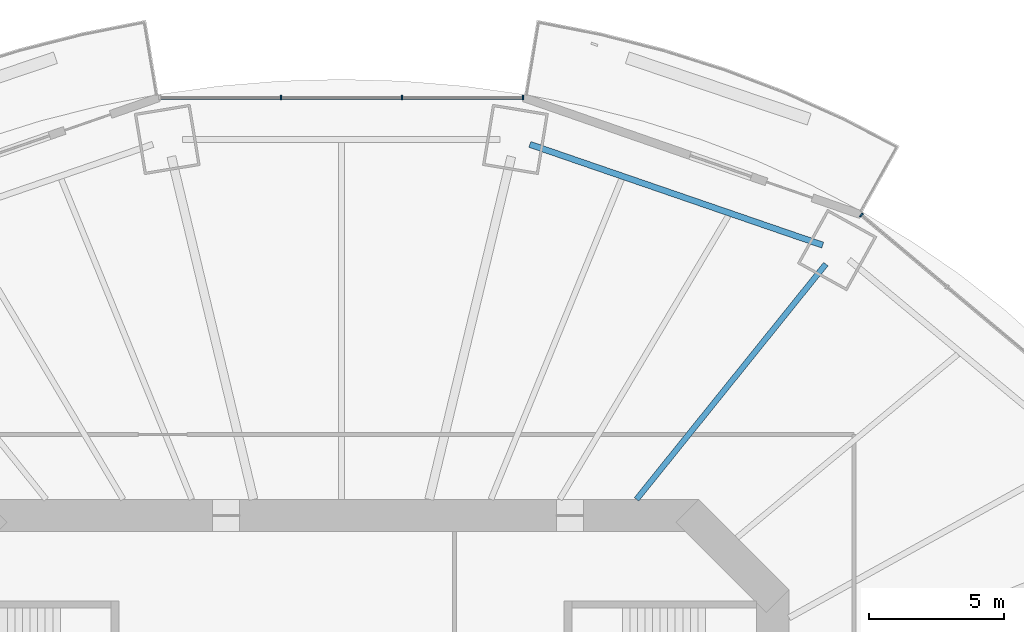
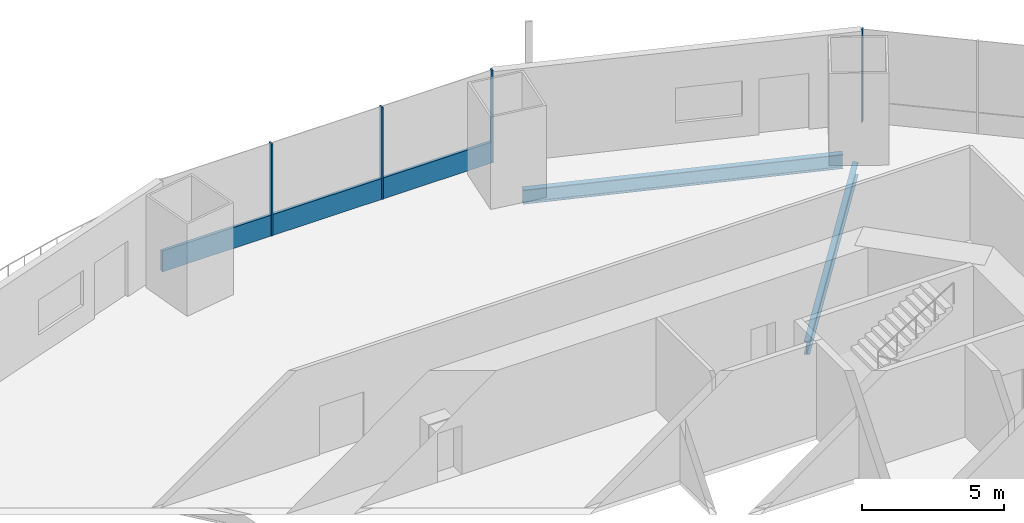
# One storey, part 9 of 22: 5 members, 2 beams, 2 elements without a shape of their own.
"""IFC4 building model written with IfcOpenShell, lengths in metres."""

import ifcopenshell
import ifcopenshell.guid

model = None  # the IFC model being written
_history = None  # IfcOwnerHistory: only IFC2X3 demands one
_inside = {}  # id of a spatial element -> (the spatial element, [elements in it])
_under = {}  # id of a project, library or spatial element -> (it, [spatial elements below it])
_declared = {}  # id of a project -> (the project, [libraries it declares])
_typed = {}  # id of a type object -> (the type object, [elements of that type])
_made_of = {}  # id of a material, layer set ... -> (it, [elements and type objects made of it])


def new_model(schema):
    """Start an empty IFC model of exactly this schema.

    Asked for "IFC4X3", IfcOpenShell would pick the latest addendum, in which some entities
    have other attributes; the version numbers below select the first issue.
    IFC2X3 requires an IfcOwnerHistory on every rooted entity: one is made here for all.
    """
    global model, _history
    if schema == "IFC4X3":
        model = ifcopenshell.file(schema_version=(4, 3, 0, 0))
    else:
        model = ifcopenshell.file(schema=schema)
    _inside.clear()
    _under.clear()
    _declared.clear()
    _typed.clear()
    _made_of.clear()
    _history = None
    if model.schema == "IFC2X3":
        org = make("IfcOrganization", Name="unknown")
        user = make(
            "IfcPersonAndOrganization",
            ThePerson=make("IfcPerson", FamilyName="unknown"),
            TheOrganization=org,
        )
        app = make(
            "IfcApplication",
            ApplicationDeveloper=org,
            Version="unknown",
            ApplicationFullName="unknown",
            ApplicationIdentifier="unknown",
        )
        _history = make(
            "IfcOwnerHistory",
            OwningUser=user,
            OwningApplication=app,
            ChangeAction="ADDED",
            CreationDate=0,
        )
    return model


def make(cls, **values):
    """One entity of the class cls with the attributes given. An attribute that is None is left unset."""
    return model.create_entity(
        cls, **{name: value for name, value in values.items() if value is not None}
    )


def rooted(cls, **values):
    """An entity with a GlobalId (a new one), such as an element, a storey or a relation."""
    return make(cls, GlobalId=ifcopenshell.guid.new(), OwnerHistory=_history, **values)


def si_unit(unit_type, name, prefix=None):
    """IfcSIUnit, for example si_unit("LENGTHUNIT", "METRE", prefix="MILLI")."""
    return make("IfcSIUnit", UnitType=unit_type, Prefix=prefix, Name=name)


def assignment(units):
    """IfcUnitAssignment: the units of a project."""
    return None if units is None else make("IfcUnitAssignment", Units=units)


def point(xyz):
    """IfcCartesianPoint."""
    return None if xyz is None else make("IfcCartesianPoint", Coordinates=xyz)


def direction(xyz):
    """IfcDirection."""
    return None if xyz is None else make("IfcDirection", DirectionRatios=xyz)


def frame(location, z_axis=None, x_axis=None):
    """IfcAxis2Placement3D, a coordinate frame: its origin and axes. An axis left out is left unset."""
    return make(
        "IfcAxis2Placement3D",
        Location=point(location),
        Axis=direction(z_axis),
        RefDirection=direction(x_axis),
    )


def frame_2d(location, x_axis=None):
    """IfcAxis2Placement2D, a coordinate frame in the plane: its origin and x axis."""
    return make(
        "IfcAxis2Placement2D", Location=point(location), RefDirection=direction(x_axis)
    )


def origin():
    """The frame at (0, 0, 0) with its axes left unset."""
    return frame((0.0, 0.0, 0.0))


def origin_2d():
    """The frame at (0, 0) in the plane with its x axis left unset."""
    return frame_2d((0.0, 0.0))


def place(relative_to, where):
    """IfcLocalPlacement: puts the frame where relative to a parent placement (None: the world)."""
    return make(
        "IfcLocalPlacement", PlacementRelTo=relative_to, RelativePlacement=where
    )


def context(
    kind, dimensions, precision=None, world=None, true_north=None, identifier=None
):
    """IfcGeometricRepresentationContext, for example the 3D "Model" context."""
    return make(
        "IfcGeometricRepresentationContext",
        ContextIdentifier=identifier,
        ContextType=kind,
        CoordinateSpaceDimension=dimensions,
        Precision=precision,
        WorldCoordinateSystem=world,
        TrueNorth=true_north,
    )


def subcontext(parent, identifier, kind, view, scale=None):
    """IfcGeometricRepresentationSubContext, for example "Body" below "Model"."""
    return make(
        "IfcGeometricRepresentationSubContext",
        ContextIdentifier=identifier,
        ContextType=kind,
        ParentContext=parent,
        TargetScale=scale,
        TargetView=view,
    )


def project(units=None, contexts=None):
    """IfcProject with its units and contexts."""
    return rooted(
        "IfcProject",
        Name="project",
        RepresentationContexts=contexts,
        UnitsInContext=assignment(units),
    )


def spatial(cls, under=None, at=None, **own):
    """A site, building, storey or space (cls), placed at a placement, below another one or the project."""
    s = rooted(cls, ObjectPlacement=at, **own)
    if under is not None:
        _under.setdefault(under.id(), (under, []))[1].append(s)
    return s


def profile(cls, at=None, kind="AREA", **sizes):
    """A parametric profile (cls). Its sizes go by their IFC names, for example OverallWidth=200.0."""
    return make(cls, ProfileType=kind, Position=at, **sizes)


def rectangle(**sizes):
    """IfcRectangleProfileDef."""
    return profile("IfcRectangleProfileDef", **sizes)


def i_section(**sizes):
    """IfcIShapeProfileDef."""
    return profile("IfcIShapeProfileDef", **sizes)


def extrude(swept, where, along, depth):
    """IfcExtrudedAreaSolid: the profile swept, set in the frame where, extruded along a direction by depth."""
    return make(
        "IfcExtrudedAreaSolid",
        SweptArea=swept,
        Position=where,
        ExtrudedDirection=direction(along),
        Depth=depth,
    )


def shape(context_of_items, identifier, shape_type, items):
    """IfcShapeRepresentation: the items that make up one representation, for example the "Body"."""
    return make(
        "IfcShapeRepresentation",
        ContextOfItems=context_of_items,
        RepresentationIdentifier=identifier,
        RepresentationType=shape_type,
        Items=items,
    )


def material(Name=None, Category=None):
    """IfcMaterial."""
    return make("IfcMaterial", Name=Name, Category=Category)


def material_profile(
    of_material, cross_section, Name=None, Category=None, Priority=None
):
    """IfcMaterialProfile: a cross section and its material."""
    return make(
        "IfcMaterialProfile",
        Name=Name,
        Material=of_material,
        Profile=cross_section,
        Priority=Priority,
        Category=Category,
    )


def profile_set(profiles, Name=None, composite=None):
    """IfcMaterialProfileSet."""
    return make(
        "IfcMaterialProfileSet",
        Name=Name,
        MaterialProfiles=profiles,
        CompositeProfile=composite,
    )


def made_of(thing, what):
    """Note that an element or type object is made of a material, layer set ...; save() writes the relation."""
    if what is not None:
        _made_of.setdefault(what.id(), (what, []))[1].append(thing)
    return thing


def type_object(cls, material=None, **own):
    """A type object (cls), such as IfcWallType, which elements share."""
    return made_of(rooted(cls, **own), material)


def element(
    cls,
    number,
    at=None,
    inside=None,
    cuts=None,
    type_object=None,
    material=None,
    context=None,
    identifier="Body",
    shape_type=None,
    held_by="IfcProductDefinitionShape",
    body=None,
    shapes=None,
    **own,
):
    """One element of the class cls, such as IfcWall. Its Tag is "e" and its number.

    at: its placement. inside: the storey or other place that contains it. cuts: it is an
    opening in that element (IfcRelVoidsElement). A single representation is given by context,
    identifier, shape_type and body (its items); several are given by shapes. held_by: the class
    of the entity that holds the representations. save() writes the other relations.
    """
    e = rooted(cls, Tag="e%d" % number, ObjectPlacement=at, **own)
    if body is not None:
        shapes = [shape(context, identifier, shape_type, body)]
    if shapes is not None:
        e.Representation = make(held_by, Representations=shapes)
    if inside is not None:
        _inside.setdefault(inside.id(), (inside, []))[1].append(e)
    if cuts is not None:
        rooted(
            "IfcRelVoidsElement", RelatingBuildingElement=cuts, RelatedOpeningElement=e
        )
    if type_object is not None:
        _typed.setdefault(type_object.id(), (type_object, []))[1].append(e)
    return made_of(e, material)


def aggregate(whole, parts):
    """IfcRelAggregates: a whole, such as a stair, and the parts it consists of."""
    return rooted("IfcRelAggregates", RelatingObject=whole, RelatedObjects=parts)


def save(model, path):
    """Write the relations noted so far, then the file.

    IfcRelAggregates (storeys below a building ...), IfcRelContainedInSpatialStructure (elements
    in a storey), IfcRelDefinesByType, IfcRelAssociatesMaterial and IfcRelDeclares: one each for
    every whole, place, type object, material and project.
    """
    for whole, parts in _under.values():
        aggregate(whole, parts)
    for where, things in _inside.values():
        rooted(
            "IfcRelContainedInSpatialStructure",
            RelatedElements=things,
            RelatingStructure=where,
        )
    for kind, things in _typed.values():
        rooted("IfcRelDefinesByType", RelatedObjects=things, RelatingType=kind)
    for what, things in _made_of.values():
        rooted("IfcRelAssociatesMaterial", RelatedObjects=things, RelatingMaterial=what)
    for by, libraries in _declared.values():
        rooted("IfcRelDeclares", RelatingContext=by, RelatedDefinitions=libraries)
    model.write(path)


model = new_model("IFC4")

# Units and contexts
model_context = context("Model", 3, precision=1e-05, world=origin(), true_north=direction((0.0, 1.0)))
body_context = subcontext(model_context, "Body", "Model", "MODEL_VIEW")
ifc_project = project(units=[si_unit("LENGTHUNIT", "METRE"), si_unit("AREAUNIT", "SQUARE_METRE"), si_unit("VOLUMEUNIT", "CUBIC_METRE"), si_unit("PLANEANGLEUNIT", "RADIAN"), si_unit("MASSUNIT", "GRAM", prefix="KILO")], contexts=[model_context])

# Site, building, storey
site_placement = place(None, origin())
site = spatial("IfcSite", under=ifc_project, at=site_placement, CompositionType="ELEMENT")
building_placement = place(site_placement, origin())
building = spatial("IfcBuilding", under=site, at=building_placement, Name="Marenthal Gate Tower", CompositionType="ELEMENT")
storey_placement = place(building_placement, frame((0.0, 0.0, 103.550048828125)))
storey = spatial("IfcBuildingStorey", under=building, at=storey_placement, Name="L21", CompositionType="ELEMENT", Elevation=103.550048828125)

# Curtain wall, member
ifc_material_1 = material(Name="Aluminium and glass", Category="aluminium")
curtain_wall_type = type_object("IfcCurtainWallType", Name="Curtain wall typical low", PredefinedType="NOTDEFINED", material=ifc_material_1)
curtain_wall_1_placement = place(storey_placement, origin())
curtain_wall_1 = element("IfcCurtainWall", 1, at=curtain_wall_1_placement, inside=storey, type_object=curtain_wall_type, Name="Curtain wall L21 bay 2", PredefinedType="NOTDEFINED")
ifc_material_2 = material(Name="Aluminium", Category="aluminium")
ifc_material_profile_1 = material_profile(ifc_material_2, rectangle(XDim=0.159912109375, YDim=0.06005859375, at=origin_2d()), Name="60x160 aluminium mullion")
ifc_profile_set_1 = profile_set([ifc_material_profile_1], Name="Aluminium")
member_type_1 = type_object("IfcMemberType", Name="Mullion 60x160 typical low", PredefinedType="MULLION", material=ifc_profile_set_1)
member_1_placement = place(storey_placement, frame((19.283447265625, 24.137451171875, 0.0), z_axis=(0.0, 0.0, 1.0), x_axis=(-0.642307658805, -0.766446913648, 0.0)))
member_1 = element("IfcMember", 2, at=member_1_placement, type_object=member_type_1, Name="Mullion L21 bay 2.4", PredefinedType="MULLION", context=body_context, shape_type="SweptSolid", body=[
    extrude(rectangle(XDim=0.159912109375, YDim=0.06005859375, at=origin_2d()), origin(), (0.0, 0.0, 1.0), 3.969970703125),
])
aggregate(curtain_wall_1, [member_1])

# Curtain wall, members
curtain_wall_2_placement = place(storey_placement, origin())
curtain_wall_2 = element("IfcCurtainWall", 3, at=curtain_wall_2_placement, inside=storey, type_object=curtain_wall_type, Name="Curtain wall L21 bay 4", PredefinedType="NOTDEFINED")
member_2_placement = place(storey_placement, frame((6.7333984375, 28.494873046875, 0.0), z_axis=(0.0, 0.0, 1.0), x_axis=(0.0, -1.0, 0.0)))
member_2 = element("IfcMember", 4, at=member_2_placement, type_object=member_type_1, Name="Mullion L21 bay 4.1", PredefinedType="MULLION", context=body_context, shape_type="SweptSolid", body=[
    extrude(rectangle(XDim=0.159912109375, YDim=0.06005859375, at=origin_2d()), origin(), (0.0, 0.0, 1.0), 3.969970703125),
])
member_3_placement = place(storey_placement, frame((2.244384765625, 28.494873046875, 0.0), z_axis=(0.0, 0.0, 1.0), x_axis=(0.0, -1.0, 0.0)))
member_3 = element("IfcMember", 5, at=member_3_placement, type_object=member_type_1, Name="Mullion L21 bay 4.2", PredefinedType="MULLION", context=body_context, shape_type="SweptSolid", body=[
    extrude(rectangle(XDim=0.159912109375, YDim=0.06005859375, at=origin_2d()), origin(), (0.0, 0.0, 1.0), 3.969970703125),
])
member_4_placement = place(storey_placement, frame((-2.244384765625, 28.494873046875, 0.0), z_axis=(0.0, 0.0, 1.0), x_axis=(0.0, -1.0, 0.0)))
member_4 = element("IfcMember", 6, at=member_4_placement, type_object=member_type_1, Name="Mullion L21 bay 4.3", PredefinedType="MULLION", context=body_context, shape_type="SweptSolid", body=[
    extrude(rectangle(XDim=0.159912109375, YDim=0.06005859375, at=origin_2d()), origin(), (0.0, 0.0, 1.0), 3.969970703125),
])
ifc_material_3 = material(Name="Aluminium", Category="aluminium")
ifc_material_profile_2 = material_profile(ifc_material_3, rectangle(XDim=0.1201171875, YDim=0.89990234375, at=origin_2d()), Name="120x900 aluminium transom")
ifc_profile_set_2 = profile_set([ifc_material_profile_2], Name="Aluminium")
member_type_2 = type_object("IfcMemberType", Name="Transom 120x900 typical low", PredefinedType="USERDEFINED", material=ifc_profile_set_2)
member_5_placement = place(storey_placement, frame((6.703369140625, 28.494873046875, 0.449951171875), z_axis=(-1.0, 0.0, 0.0), x_axis=(0.0, -1.0, 0.0)))
member_5 = element("IfcMember", 7, at=member_5_placement, type_object=member_type_2, Name="Transom L21 bay 4", ObjectType="TRANSOM", PredefinedType="USERDEFINED", context=body_context, shape_type="SweptSolid", body=[
    extrude(rectangle(XDim=0.1201171875, YDim=0.89990234375, at=origin_2d()), origin(), (0.0, 0.0, 1.0), 13.40673828125),
])
aggregate(curtain_wall_2, [member_2, member_3, member_4, member_5])

# Beams
ifc_material_4 = material(Name="Steel S355", Category="steel")
ifc_material_profile_3 = material_profile(ifc_material_4, i_section(OverallWidth=0.2119140625, OverallDepth=0.5439453125, WebThickness=0.01318359375, FlangeThickness=0.021240234375, FilletRadius=0.0126953125, at=origin_2d()), Name="W530X123")
ifc_profile_set_3 = profile_set([ifc_material_profile_3], Name="Steel S355")
beam_type_1 = type_object("IfcBeamType", Name="W530X123 beam", PredefinedType="BEAM", material=ifc_profile_set_3)
beam_1_placement = place(storey_placement, frame((17.964599609375, 22.3232421875, -0.4521484375), z_axis=(-0.626952602909, -0.779057400777, 0.0), x_axis=(0.779057400777, -0.626952602909, 0.0)))
element("IfcBeam", 8, at=beam_1_placement, inside=storey, type_object=beam_type_1, Name="BM-L21-03", PredefinedType="BEAM", context=body_context, shape_type="SweptSolid", body=[
    extrude(i_section(OverallWidth=0.2119140625, OverallDepth=0.5439453125, WebThickness=0.01318359375, FlangeThickness=0.021240234375, FilletRadius=0.0126953125, at=origin_2d()), origin(), (0.0, 0.0, 1.0), 11.197021484375),
])
ifc_material_5 = material(Name="Steel S355", Category="steel")
ifc_material_profile_4 = material_profile(ifc_material_5, i_section(OverallWidth=0.22900390625, OverallDepth=0.612060546875, WebThickness=0.011962890625, FlangeThickness=0.01953125, FilletRadius=0.0126953125, at=origin_2d()), Name="W610X125")
ifc_profile_set_4 = profile_set([ifc_material_profile_4], Name="Steel S355")
beam_type_2 = type_object("IfcBeamType", Name="W610X125 beam", PredefinedType="BEAM", material=ifc_profile_set_4)
beam_2_placement = place(storey_placement, frame((17.84716796875, 23.027099609375, -0.486083984375), z_axis=(-0.945633885285, 0.325233077963, 0.0), x_axis=(-0.325233077963, -0.945633885285, 0.0)))
element("IfcBeam", 9, at=beam_2_placement, inside=storey, type_object=beam_type_2, Name="BM-L21-43", PredefinedType="BEAM", context=body_context, shape_type="SweptSolid", body=[
    extrude(i_section(OverallWidth=0.22900390625, OverallDepth=0.612060546875, WebThickness=0.011962890625, FlangeThickness=0.01953125, FilletRadius=0.0126953125, at=origin_2d()), origin(), (0.0, 0.0, 1.0), 11.482177734375),
])

save(model, "model.ifc")
